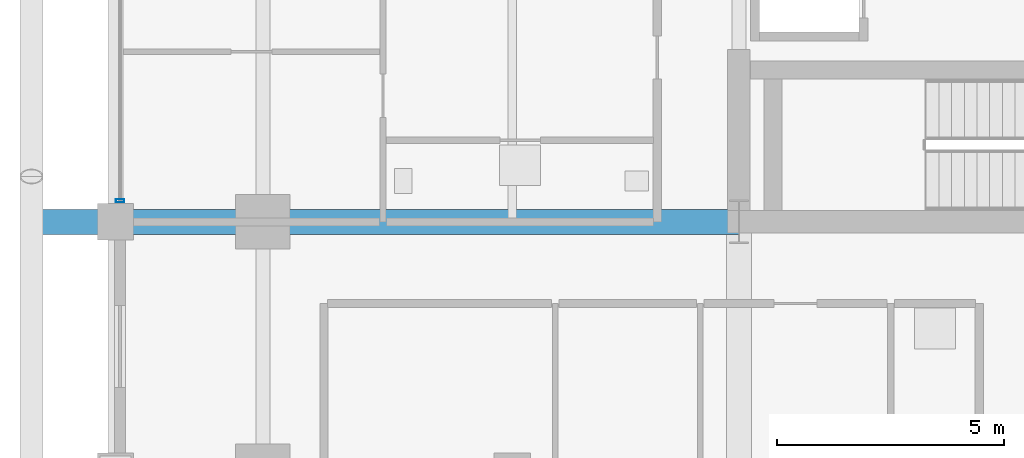
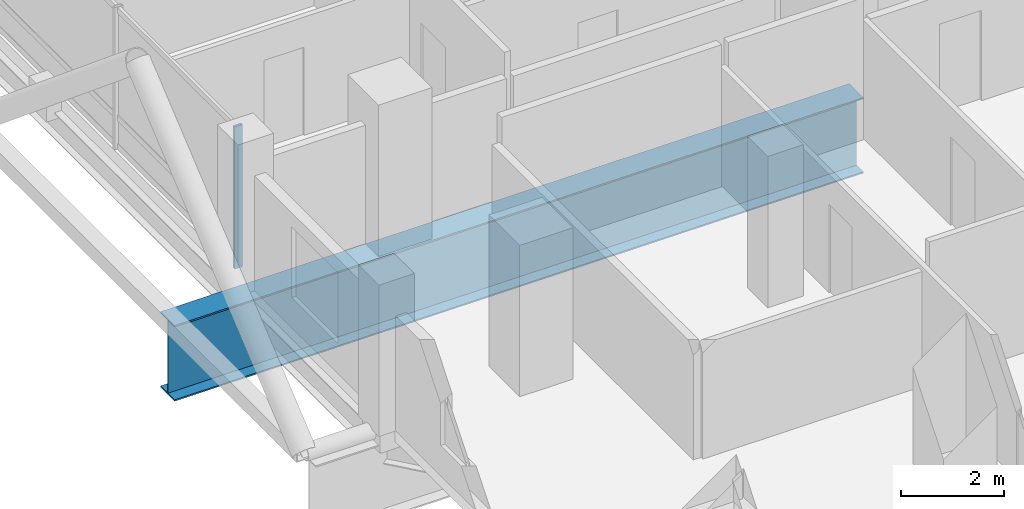
# One storey, part 2 of 21: 1 beam, 1 member, 1 element without a shape of its own.
"""IFC4 building model written with IfcOpenShell, lengths in metres."""

import ifcopenshell
import ifcopenshell.guid

model = None  # the IFC model being written
_history = None  # IfcOwnerHistory: only IFC2X3 demands one
_inside = {}  # id of a spatial element -> (the spatial element, [elements in it])
_under = {}  # id of a project, library or spatial element -> (it, [spatial elements below it])
_declared = {}  # id of a project -> (the project, [libraries it declares])
_typed = {}  # id of a type object -> (the type object, [elements of that type])
_made_of = {}  # id of a material, layer set ... -> (it, [elements and type objects made of it])


def new_model(schema):
    """Start an empty IFC model of exactly this schema.

    Asked for "IFC4X3", IfcOpenShell would pick the latest addendum, in which some entities
    have other attributes; the version numbers below select the first issue.
    IFC2X3 requires an IfcOwnerHistory on every rooted entity: one is made here for all.
    """
    global model, _history
    if schema == "IFC4X3":
        model = ifcopenshell.file(schema_version=(4, 3, 0, 0))
    else:
        model = ifcopenshell.file(schema=schema)
    _inside.clear()
    _under.clear()
    _declared.clear()
    _typed.clear()
    _made_of.clear()
    _history = None
    if model.schema == "IFC2X3":
        org = make("IfcOrganization", Name="unknown")
        user = make(
            "IfcPersonAndOrganization",
            ThePerson=make("IfcPerson", FamilyName="unknown"),
            TheOrganization=org,
        )
        app = make(
            "IfcApplication",
            ApplicationDeveloper=org,
            Version="unknown",
            ApplicationFullName="unknown",
            ApplicationIdentifier="unknown",
        )
        _history = make(
            "IfcOwnerHistory",
            OwningUser=user,
            OwningApplication=app,
            ChangeAction="ADDED",
            CreationDate=0,
        )
    return model


def make(cls, **values):
    """One entity of the class cls with the attributes given. An attribute that is None is left unset."""
    return model.create_entity(
        cls, **{name: value for name, value in values.items() if value is not None}
    )


def rooted(cls, **values):
    """An entity with a GlobalId (a new one), such as an element, a storey or a relation."""
    return make(cls, GlobalId=ifcopenshell.guid.new(), OwnerHistory=_history, **values)


def si_unit(unit_type, name, prefix=None):
    """IfcSIUnit, for example si_unit("LENGTHUNIT", "METRE", prefix="MILLI")."""
    return make("IfcSIUnit", UnitType=unit_type, Prefix=prefix, Name=name)


def assignment(units):
    """IfcUnitAssignment: the units of a project."""
    return None if units is None else make("IfcUnitAssignment", Units=units)


def point(xyz):
    """IfcCartesianPoint."""
    return None if xyz is None else make("IfcCartesianPoint", Coordinates=xyz)


def direction(xyz):
    """IfcDirection."""
    return None if xyz is None else make("IfcDirection", DirectionRatios=xyz)


def frame(location, z_axis=None, x_axis=None):
    """IfcAxis2Placement3D, a coordinate frame: its origin and axes. An axis left out is left unset."""
    return make(
        "IfcAxis2Placement3D",
        Location=point(location),
        Axis=direction(z_axis),
        RefDirection=direction(x_axis),
    )


def frame_2d(location, x_axis=None):
    """IfcAxis2Placement2D, a coordinate frame in the plane: its origin and x axis."""
    return make(
        "IfcAxis2Placement2D", Location=point(location), RefDirection=direction(x_axis)
    )


def origin():
    """The frame at (0, 0, 0) with its axes left unset."""
    return frame((0.0, 0.0, 0.0))


def origin_2d():
    """The frame at (0, 0) in the plane with its x axis left unset."""
    return frame_2d((0.0, 0.0))


def place(relative_to, where):
    """IfcLocalPlacement: puts the frame where relative to a parent placement (None: the world)."""
    return make(
        "IfcLocalPlacement", PlacementRelTo=relative_to, RelativePlacement=where
    )


def context(
    kind, dimensions, precision=None, world=None, true_north=None, identifier=None
):
    """IfcGeometricRepresentationContext, for example the 3D "Model" context."""
    return make(
        "IfcGeometricRepresentationContext",
        ContextIdentifier=identifier,
        ContextType=kind,
        CoordinateSpaceDimension=dimensions,
        Precision=precision,
        WorldCoordinateSystem=world,
        TrueNorth=true_north,
    )


def subcontext(parent, identifier, kind, view, scale=None):
    """IfcGeometricRepresentationSubContext, for example "Body" below "Model"."""
    return make(
        "IfcGeometricRepresentationSubContext",
        ContextIdentifier=identifier,
        ContextType=kind,
        ParentContext=parent,
        TargetScale=scale,
        TargetView=view,
    )


def project(units=None, contexts=None):
    """IfcProject with its units and contexts."""
    return rooted(
        "IfcProject",
        Name="project",
        RepresentationContexts=contexts,
        UnitsInContext=assignment(units),
    )


def spatial(cls, under=None, at=None, **own):
    """A site, building, storey or space (cls), placed at a placement, below another one or the project."""
    s = rooted(cls, ObjectPlacement=at, **own)
    if under is not None:
        _under.setdefault(under.id(), (under, []))[1].append(s)
    return s


def profile(cls, at=None, kind="AREA", **sizes):
    """A parametric profile (cls). Its sizes go by their IFC names, for example OverallWidth=200.0."""
    return make(cls, ProfileType=kind, Position=at, **sizes)


def hollow_rectangle(**sizes):
    """IfcRectangleHollowProfileDef."""
    return profile("IfcRectangleHollowProfileDef", **sizes)


def i_section(**sizes):
    """IfcIShapeProfileDef."""
    return profile("IfcIShapeProfileDef", **sizes)


def extrude(swept, where, along, depth):
    """IfcExtrudedAreaSolid: the profile swept, set in the frame where, extruded along a direction by depth."""
    return make(
        "IfcExtrudedAreaSolid",
        SweptArea=swept,
        Position=where,
        ExtrudedDirection=direction(along),
        Depth=depth,
    )


def shape(context_of_items, identifier, shape_type, items):
    """IfcShapeRepresentation: the items that make up one representation, for example the "Body"."""
    return make(
        "IfcShapeRepresentation",
        ContextOfItems=context_of_items,
        RepresentationIdentifier=identifier,
        RepresentationType=shape_type,
        Items=items,
    )


def material(Name=None, Category=None):
    """IfcMaterial."""
    return make("IfcMaterial", Name=Name, Category=Category)


def layer(
    of_material, thickness, ventilated=None, Name=None, Category=None, Priority=None
):
    """IfcMaterialLayer: one layer of a wall or slab, of a material (None: an air gap)."""
    return make(
        "IfcMaterialLayer",
        Material=of_material,
        LayerThickness=thickness,
        IsVentilated=ventilated,
        Name=Name,
        Category=Category,
        Priority=Priority,
    )


def layer_set(layers, Name=None):
    """IfcMaterialLayerSet."""
    return make("IfcMaterialLayerSet", MaterialLayers=layers, LayerSetName=Name)


def material_profile(
    of_material, cross_section, Name=None, Category=None, Priority=None
):
    """IfcMaterialProfile: a cross section and its material."""
    return make(
        "IfcMaterialProfile",
        Name=Name,
        Material=of_material,
        Profile=cross_section,
        Priority=Priority,
        Category=Category,
    )


def profile_set(profiles, Name=None, composite=None):
    """IfcMaterialProfileSet."""
    return make(
        "IfcMaterialProfileSet",
        Name=Name,
        MaterialProfiles=profiles,
        CompositeProfile=composite,
    )


def made_of(thing, what):
    """Note that an element or type object is made of a material, layer set ...; save() writes the relation."""
    if what is not None:
        _made_of.setdefault(what.id(), (what, []))[1].append(thing)
    return thing


def type_object(cls, material=None, **own):
    """A type object (cls), such as IfcWallType, which elements share."""
    return made_of(rooted(cls, **own), material)


def element(
    cls,
    number,
    at=None,
    inside=None,
    cuts=None,
    type_object=None,
    material=None,
    context=None,
    identifier="Body",
    shape_type=None,
    held_by="IfcProductDefinitionShape",
    body=None,
    shapes=None,
    **own,
):
    """One element of the class cls, such as IfcWall. Its Tag is "e" and its number.

    at: its placement. inside: the storey or other place that contains it. cuts: it is an
    opening in that element (IfcRelVoidsElement). A single representation is given by context,
    identifier, shape_type and body (its items); several are given by shapes. held_by: the class
    of the entity that holds the representations. save() writes the other relations.
    """
    e = rooted(cls, Tag="e%d" % number, ObjectPlacement=at, **own)
    if body is not None:
        shapes = [shape(context, identifier, shape_type, body)]
    if shapes is not None:
        e.Representation = make(held_by, Representations=shapes)
    if inside is not None:
        _inside.setdefault(inside.id(), (inside, []))[1].append(e)
    if cuts is not None:
        rooted(
            "IfcRelVoidsElement", RelatingBuildingElement=cuts, RelatedOpeningElement=e
        )
    if type_object is not None:
        _typed.setdefault(type_object.id(), (type_object, []))[1].append(e)
    return made_of(e, material)


def aggregate(whole, parts):
    """IfcRelAggregates: a whole, such as a stair, and the parts it consists of."""
    return rooted("IfcRelAggregates", RelatingObject=whole, RelatedObjects=parts)


def save(model, path):
    """Write the relations noted so far, then the file.

    IfcRelAggregates (storeys below a building ...), IfcRelContainedInSpatialStructure (elements
    in a storey), IfcRelDefinesByType, IfcRelAssociatesMaterial and IfcRelDeclares: one each for
    every whole, place, type object, material and project.
    """
    for whole, parts in _under.values():
        aggregate(whole, parts)
    for where, things in _inside.values():
        rooted(
            "IfcRelContainedInSpatialStructure",
            RelatedElements=things,
            RelatingStructure=where,
        )
    for kind, things in _typed.values():
        rooted("IfcRelDefinesByType", RelatedObjects=things, RelatingType=kind)
    for what, things in _made_of.values():
        rooted("IfcRelAssociatesMaterial", RelatedObjects=things, RelatingMaterial=what)
    for by, libraries in _declared.values():
        rooted("IfcRelDeclares", RelatingContext=by, RelatedDefinitions=libraries)
    model.write(path)


model = new_model("IFC4")

# Units and contexts
model_context = context("Model", 3, precision=1e-05, world=origin(), true_north=direction((0.0, 1.0)))
body_context = subcontext(model_context, "Body", "Model", "MODEL_VIEW")
ifc_project = project(units=[si_unit("LENGTHUNIT", "METRE"), si_unit("AREAUNIT", "SQUARE_METRE"), si_unit("VOLUMEUNIT", "CUBIC_METRE"), si_unit("PLANEANGLEUNIT", "RADIAN"), si_unit("MASSUNIT", "GRAM", prefix="KILO")], contexts=[model_context])

# Site, building, storey
site_placement = place(None, origin())
site = spatial("IfcSite", under=ifc_project, at=site_placement, CompositionType="ELEMENT")
building_placement = place(site_placement, origin())
building = spatial("IfcBuilding", under=site, at=building_placement, Name="Barlavira Tower and Art Museum", CompositionType="ELEMENT")
storey_placement = place(building_placement, frame((0.0, 0.0, 99.0)))
storey = spatial("IfcBuildingStorey", under=building, at=storey_placement, Name="L24", CompositionType="ELEMENT", Elevation=99.0)

# Curtain wall, member
ifc_material_1 = material(Name="Low-iron coastal laminated glass", Category="glass")
ifc_layer = layer(ifc_material_1, 0.18994140625, Name="Low-iron coastal laminated glass")
ifc_layer_set = layer_set([ifc_layer], Name="Low-iron coastal laminated glass")
curtain_wall_type = type_object("IfcCurtainWallType", Name="Pale-Metal Unitised Curtain Wall Zone 2", PredefinedType="NOTDEFINED", material=ifc_layer_set)
curtain_wall_placement = place(storey_placement, origin())
curtain_wall = element("IfcCurtainWall", 1, at=curtain_wall_placement, inside=storey, type_object=curtain_wall_type, Name="L24 Curtain Wall CW2-L24-W-B3", PredefinedType="NOTDEFINED")
ifc_material_2 = material(Name="Pale anodised aluminium", Category="aluminium")
ifc_material_profile_1 = material_profile(ifc_material_2, hollow_rectangle(XDim=0.06494140625, YDim=0.179931640625, WallThickness=0.00390625, at=origin_2d()), Name="ALU-MULL 65x180x4")
ifc_profile_set_1 = profile_set([ifc_material_profile_1], Name="Pale anodised aluminium")
member_type = type_object("IfcMemberType", Name="Curtain Wall Pale-Metal Mullion 65x180", PredefinedType="MULLION", material=ifc_profile_set_1)
member_placement = place(storey_placement, frame((-20.14990234375, -7.034912109375, 0.0), z_axis=(0.0, 0.0, 1.0), x_axis=(0.0, -1.0, 0.0)))
member = element("IfcMember", 2, at=member_placement, type_object=member_type, Name="CW2-L24-W-B3 Mullion 3", PredefinedType="MULLION", context=body_context, shape_type="SweptSolid", body=[
    extrude(hollow_rectangle(XDim=0.06494140625, YDim=0.179931640625, WallThickness=0.00390625, at=origin_2d()), origin(), (0.0, 0.0, 1.0), 3.3798828125),
])
aggregate(curtain_wall, [member])

# Beam
ifc_material_3 = material(Name="Steel S355", Category="steel")
ifc_material_profile_2 = material_profile(ifc_material_3, i_section(OverallWidth=0.550048828125, OverallDepth=1.800048828125, WebThickness=0.02587890625, FlangeThickness=0.033935546875, at=origin_2d()), Name="CVS1800x520")
ifc_profile_set_2 = profile_set([ifc_material_profile_2], Name="Steel S355")
beam_type = type_object("IfcBeamType", Name="Zone Setback Transfer Girder CVS1800x520 Steel S355", PredefinedType="USERDEFINED", material=ifc_profile_set_2)
beam_placement = place(storey_placement, frame((-22.0, -7.5, -1.199951171875), z_axis=(1.0, 0.0, 0.0), x_axis=(0.0, 1.0, 0.0)))
element("IfcBeam", 3, at=beam_placement, inside=storey, type_object=beam_type, Name="L24 Setback Transfer Girder TGL24-08A", ObjectType="TRANSFER GIRDER", PredefinedType="USERDEFINED", context=body_context, shape_type="SweptSolid", body=[
    extrude(i_section(OverallWidth=0.550048828125, OverallDepth=1.800048828125, WebThickness=0.02587890625, FlangeThickness=0.033935546875, at=origin_2d()), origin(), (0.0, 0.0, 1.0), 15.5),
])

save(model, "model.ifc")
